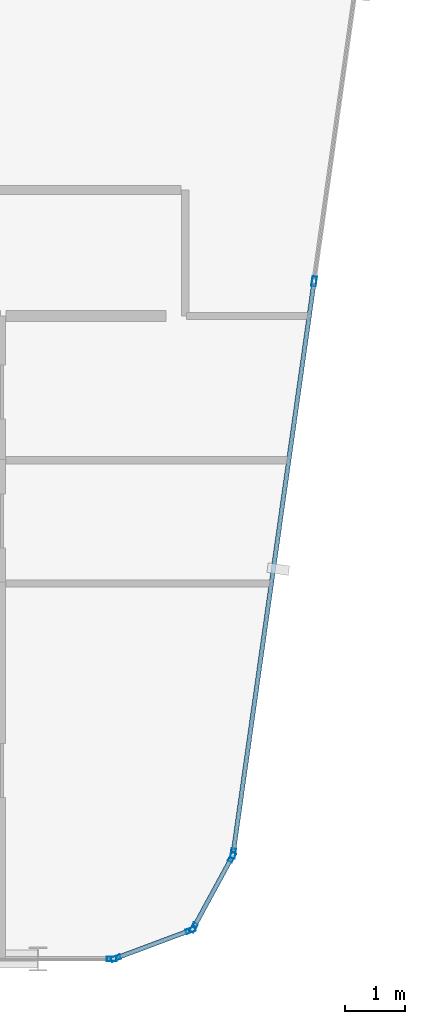
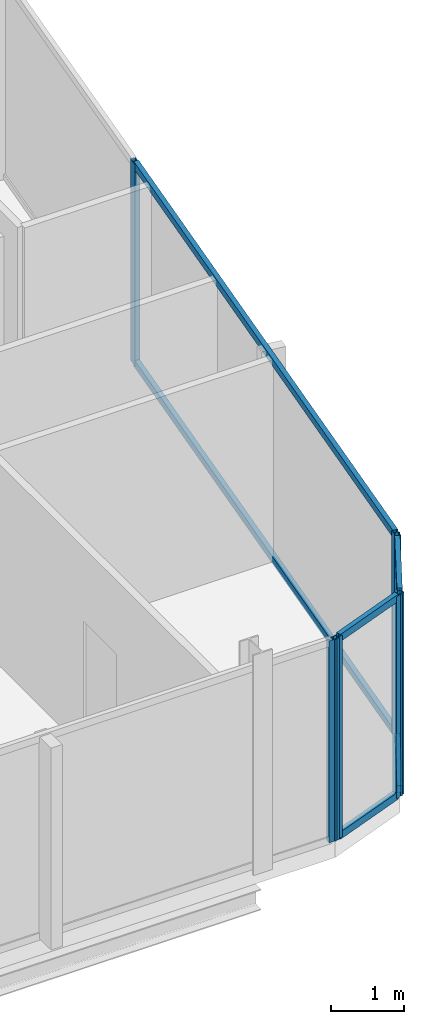
# One storey, part 12 of 28: 13 members, 4 elements without a shape of their own.
"""IFC4 building model written with IfcOpenShell, lengths in metres."""

from ifc_helpers import new_model, si_unit, direction, frame, origin, origin_2d, place, context, subcontext, project, spatial, hollow_rectangle, extrude, material, layer, layer_set, material_profile, profile_set, type_object, element, aggregate, save


model = new_model("IFC4")

# Units and contexts
model_context = context("Model", 3, precision=1e-05, world=origin(), true_north=direction((0.0, 1.0)))
body_context = subcontext(model_context, "Body", "Model", "MODEL_VIEW")
ifc_project = project(units=[si_unit("LENGTHUNIT", "METRE"), si_unit("AREAUNIT", "SQUARE_METRE"), si_unit("VOLUMEUNIT", "CUBIC_METRE"), si_unit("PLANEANGLEUNIT", "RADIAN"), si_unit("MASSUNIT", "GRAM", prefix="KILO")], contexts=[model_context])

# Site, building, storey
site_placement = place(None, origin())
site = spatial("IfcSite", under=ifc_project, at=site_placement, CompositionType="ELEMENT")
building_placement = place(site_placement, origin())
building = spatial("IfcBuilding", under=site, at=building_placement, Name="Keshet Zoharim Tower", CompositionType="ELEMENT")
storey_placement = place(building_placement, frame((0.0, 0.0, 258.39990234375)))
storey = spatial("IfcBuildingStorey", under=building, at=storey_placement, Name="L64", CompositionType="ELEMENT", Elevation=258.39990234375)

# Curtain wall, members
ifc_material = material(Name="Aluminium 6063-T6", Category="aluminium")
ifc_layer = layer(ifc_material, 0.260009765625)
ifc_layer_set = layer_set([ifc_layer], Name="Aluminium 6063-T6")
curtain_wall_type = type_object("IfcCurtainWallType", Name="CW-SYS-06", PredefinedType="NOTDEFINED", material=ifc_layer_set)
curtain_wall_1_placement = place(storey_placement, origin())
curtain_wall_1 = element("IfcCurtainWall", 1, at=curtain_wall_1_placement, inside=storey, type_object=curtain_wall_type, Name="L64 Unitised Curtain Wall 11", PredefinedType="NOTDEFINED")
ifc_material_profile_1 = material_profile(ifc_material, hollow_rectangle(XDim=0.074951171875, YDim=0.159912109375, WallThickness=0.00390625, at=origin_2d()), Name="MUL-75x160")
ifc_profile_set_1 = profile_set([ifc_material_profile_1], Name="Aluminium 6063-T6")
member_type_1 = type_object("IfcMemberType", Name="CWM-M15", PredefinedType="MULLION", material=ifc_profile_set_1)
member_1_placement = place(storey_placement, frame((43.595458984375, 17.97607421875, 0.0), z_axis=(0.0, 0.0, 1.0), x_axis=(0.990132057422, -0.140137464177, 0.0)))
member_1 = element("IfcMember", 2, at=member_1_placement, type_object=member_type_1, Name="CW-06 mullion 2", PredefinedType="MULLION", context=body_context, shape_type="SweptSolid", body=[
    extrude(hollow_rectangle(XDim=0.074951171875, YDim=0.159912109375, WallThickness=0.00390625, at=origin_2d()), origin(), (0.0, 0.0, 1.0), 3.39013671875),
])
member_2_placement = place(storey_placement, frame((42.247802734375, 8.45458984375, 0.0), z_axis=(0.0, 0.0, 1.0), x_axis=(0.990132057422, -0.140137464177, 0.0)))
member_2 = element("IfcMember", 3, at=member_2_placement, type_object=member_type_1, Name="CW-06 mullion 3", PredefinedType="MULLION", context=body_context, shape_type="SweptSolid", body=[
    extrude(hollow_rectangle(XDim=0.074951171875, YDim=0.159912109375, WallThickness=0.00390625, at=origin_2d()), origin(), (0.0, 0.0, 1.0), 3.39013671875),
])

curtain_wall_2_placement = place(storey_placement, origin())
curtain_wall_2 = element("IfcCurtainWall", 4, at=curtain_wall_2_placement, inside=storey, type_object=curtain_wall_type, Name="L64 Unitised Curtain Wall 12", PredefinedType="NOTDEFINED")
member_3_placement = place(storey_placement, frame((42.226318359375, 8.38916015625, 0.0), z_axis=(0.0, 0.0, 1.0), x_axis=(0.878468125004, -0.477800955789, 0.0)))
member_3 = element("IfcMember", 5, at=member_3_placement, type_object=member_type_1, Name="CW-06 mullion 1", PredefinedType="MULLION", context=body_context, shape_type="SweptSolid", body=[
    extrude(hollow_rectangle(XDim=0.074951171875, YDim=0.159912109375, WallThickness=0.00390625, at=origin_2d()), origin(), (0.0, 0.0, 1.0), 3.39013671875),
])
member_4_placement = place(storey_placement, frame((41.5908203125, 7.220703125, 0.0), z_axis=(0.0, 0.0, 1.0), x_axis=(0.878468125004, -0.477800955789, 0.0)))
member_4 = element("IfcMember", 6, at=member_4_placement, type_object=member_type_1, Name="CW-06 mullion 2", PredefinedType="MULLION", context=body_context, shape_type="SweptSolid", body=[
    extrude(hollow_rectangle(XDim=0.074951171875, YDim=0.159912109375, WallThickness=0.00390625, at=origin_2d()), origin(), (0.0, 0.0, 1.0), 3.39013671875),
])

curtain_wall_3_placement = place(storey_placement, origin())
curtain_wall_3 = element("IfcCurtainWall", 7, at=curtain_wall_3_placement, inside=storey, type_object=curtain_wall_type, Name="L64 Unitised Curtain Wall 13", PredefinedType="NOTDEFINED")
member_5_placement = place(storey_placement, frame((41.541259765625, 7.177734375, 0.0), z_axis=(0.0, 0.0, 1.0), x_axis=(0.350105315376, -0.936710343781, 0.0)))
member_5 = element("IfcMember", 8, at=member_5_placement, type_object=member_type_1, Name="CW-06 mullion 1", PredefinedType="MULLION", context=body_context, shape_type="SweptSolid", body=[
    extrude(hollow_rectangle(XDim=0.074951171875, YDim=0.159912109375, WallThickness=0.00390625, at=origin_2d()), origin(), (0.0, 0.0, 1.0), 3.39013671875),
])
member_6_placement = place(storey_placement, frame((40.2958984375, 6.712158203125, 0.0), z_axis=(0.0, 0.0, 1.0), x_axis=(0.350105315376, -0.936710343781, 0.0)))
member_6 = element("IfcMember", 9, at=member_6_placement, type_object=member_type_1, Name="CW-06 mullion 2", PredefinedType="MULLION", context=body_context, shape_type="SweptSolid", body=[
    extrude(hollow_rectangle(XDim=0.074951171875, YDim=0.159912109375, WallThickness=0.00390625, at=origin_2d()), origin(), (0.0, 0.0, 1.0), 3.39013671875),
])

# Curtain wall, member
curtain_wall_4_placement = place(storey_placement, origin())
curtain_wall_4 = element("IfcCurtainWall", 10, at=curtain_wall_4_placement, inside=storey, type_object=curtain_wall_type, Name="L64 Unitised Curtain Wall 14", PredefinedType="NOTDEFINED")
member_7_placement = place(storey_placement, frame((40.22802734375, 6.699951171875, 0.0), z_axis=(0.0, 0.0, 1.0), x_axis=(0.0, -1.0, 0.0)))
member_7 = element("IfcMember", 11, at=member_7_placement, type_object=member_type_1, Name="CW-06 mullion 1", PredefinedType="MULLION", context=body_context, shape_type="SweptSolid", body=[
    extrude(hollow_rectangle(XDim=0.074951171875, YDim=0.159912109375, WallThickness=0.00390625, at=origin_2d()), origin(), (0.0, 0.0, 1.0), 3.39013671875),
])
aggregate(curtain_wall_4, [member_7])

# Member
ifc_material_profile_2 = material_profile(ifc_material, hollow_rectangle(XDim=0.074951171875, YDim=0.1201171875, WallThickness=0.00390625, at=origin_2d()), Name="TRN-75x120")
ifc_profile_set_2 = profile_set([ifc_material_profile_2], Name="Aluminium 6063-T6")
member_type_2 = type_object("IfcMemberType", Name="CWT-T12", PredefinedType="USERDEFINED", material=ifc_profile_set_2)
member_8_placement = place(storey_placement, frame((43.590576171875, 17.94140625, 0.03515625), z_axis=(-0.14012154881, -0.990134309859, 0.0), x_axis=(0.990134309859, -0.14012154881, 0.0)))
member_8 = element("IfcMember", 12, at=member_8_placement, type_object=member_type_2, Name="CW-06 transom 2.1", ObjectType="TRANSOM", PredefinedType="USERDEFINED", context=body_context, shape_type="SweptSolid", body=[
    extrude(hollow_rectangle(XDim=0.074951171875, YDim=0.1201171875, WallThickness=0.00390625, at=origin_2d()), origin(), (0.0, 0.0, 1.0), 9.54638671875),
])

member_9_placement = place(storey_placement, frame((43.590576171875, 17.94140625, 3.35498046875), z_axis=(-0.14012154881, -0.990134309859, 0.0), x_axis=(0.990134309859, -0.14012154881, 0.0)))
member_9 = element("IfcMember", 13, at=member_9_placement, type_object=member_type_2, Name="CW-06 transom 2.2", ObjectType="TRANSOM", PredefinedType="USERDEFINED", context=body_context, shape_type="SweptSolid", body=[
    extrude(hollow_rectangle(XDim=0.074951171875, YDim=0.1201171875, WallThickness=0.00390625, at=origin_2d()), origin(), (0.0, 0.0, 1.0), 9.54638671875),
])

aggregate(curtain_wall_1, [member_1, member_2, member_8, member_9])

member_10_placement = place(storey_placement, frame((42.20947265625, 8.3583984375, 0.03515625), z_axis=(-0.47779293276, -0.878472488701, 0.0), x_axis=(0.878472488701, -0.47779293276, 0.0)))
member_10 = element("IfcMember", 14, at=member_10_placement, type_object=member_type_2, Name="CW-06 transom 1.1", ObjectType="TRANSOM", PredefinedType="USERDEFINED", context=body_context, shape_type="SweptSolid", body=[
    extrude(hollow_rectangle(XDim=0.074951171875, YDim=0.1201171875, WallThickness=0.00390625, at=origin_2d()), origin(), (0.0, 0.0, 1.0), 1.260009765625),
])

member_11_placement = place(storey_placement, frame((42.20947265625, 8.3583984375, 3.35498046875), z_axis=(-0.47779293276, -0.878472488701, 0.0), x_axis=(0.878472488701, -0.47779293276, 0.0)))
member_11 = element("IfcMember", 15, at=member_11_placement, type_object=member_type_2, Name="CW-06 transom 1.2", ObjectType="TRANSOM", PredefinedType="USERDEFINED", context=body_context, shape_type="SweptSolid", body=[
    extrude(hollow_rectangle(XDim=0.074951171875, YDim=0.1201171875, WallThickness=0.00390625, at=origin_2d()), origin(), (0.0, 0.0, 1.0), 1.260009765625),
])

aggregate(curtain_wall_2, [member_3, member_4, member_10, member_11])

member_12_placement = place(storey_placement, frame((41.508544921875, 7.16552734375, 0.03515625), z_axis=(-0.93673477759, -0.350039935512, 0.0), x_axis=(0.350039935512, -0.93673477759, 0.0)))
member_12 = element("IfcMember", 16, at=member_12_placement, type_object=member_type_2, Name="CW-06 transom 1.1", ObjectType="TRANSOM", PredefinedType="USERDEFINED", context=body_context, shape_type="SweptSolid", body=[
    extrude(hollow_rectangle(XDim=0.074951171875, YDim=0.1201171875, WallThickness=0.00390625, at=origin_2d()), origin(), (0.0, 0.0, 1.0), 1.259521484375),
])

member_13_placement = place(storey_placement, frame((41.508544921875, 7.16552734375, 3.35498046875), z_axis=(-0.93673477759, -0.350039935512, 0.0), x_axis=(0.350039935512, -0.93673477759, 0.0)))
member_13 = element("IfcMember", 17, at=member_13_placement, type_object=member_type_2, Name="CW-06 transom 1.2", ObjectType="TRANSOM", PredefinedType="USERDEFINED", context=body_context, shape_type="SweptSolid", body=[
    extrude(hollow_rectangle(XDim=0.074951171875, YDim=0.1201171875, WallThickness=0.00390625, at=origin_2d()), origin(), (0.0, 0.0, 1.0), 1.259521484375),
])

aggregate(curtain_wall_3, [member_5, member_6, member_12, member_13])

save(model, "model.ifc")
